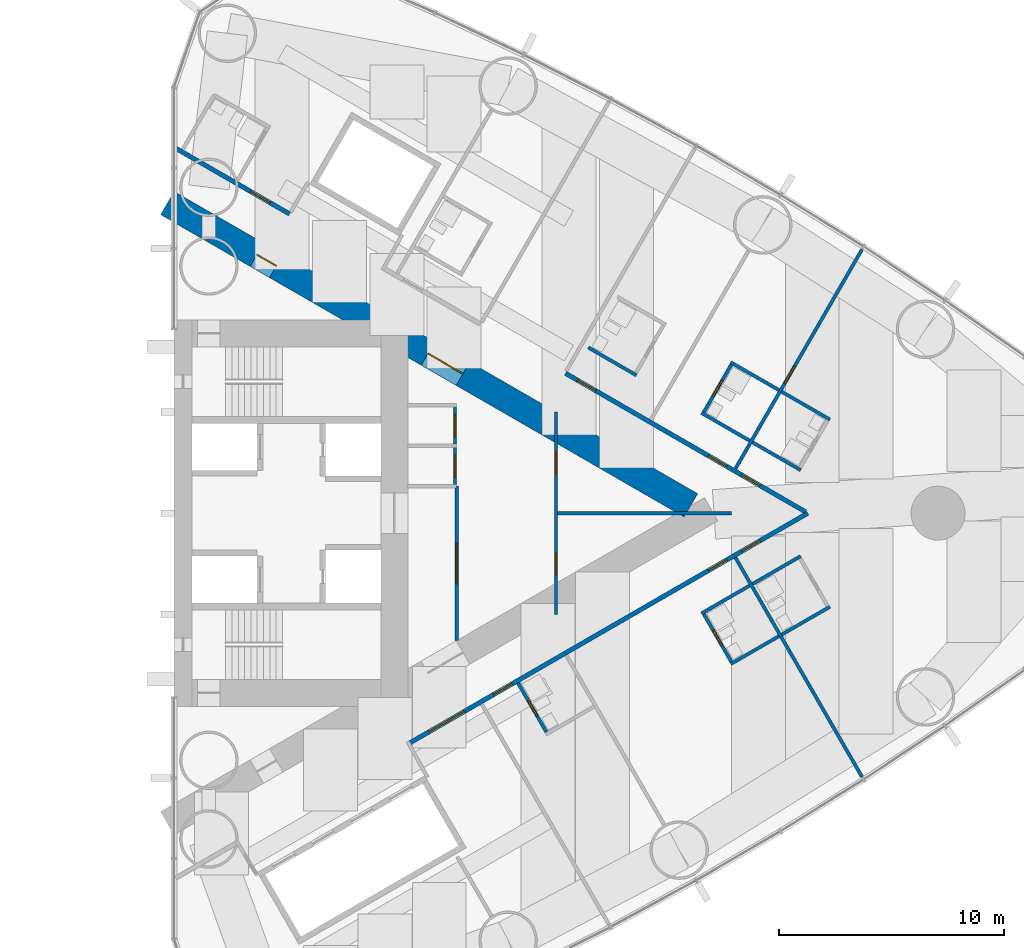
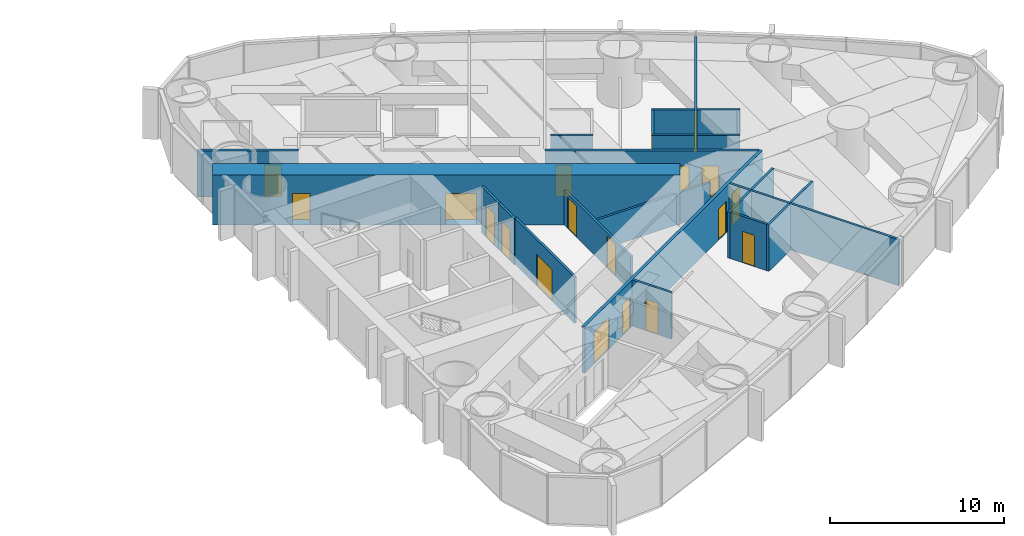
# One storey, part 15 of 19: 23 walls, 19 doors, 19 openings.
"""IFC4 building model written with IfcOpenShell, lengths in metres."""

from ifc_helpers import new_model, si_unit, direction, frame, frame_2d, origin, place, context, subcontext, project, spatial, rectangle, extrude, material, layer, layer_set, type_object, element, fill, save


model = new_model("IFC4")

# Units and contexts
model_context = context("Model", 3, precision=1e-05, world=origin(), true_north=direction((0.0, 1.0)))
body_context = subcontext(model_context, "Body", "Model", "MODEL_VIEW")
ifc_project = project(units=[si_unit("LENGTHUNIT", "METRE"), si_unit("AREAUNIT", "SQUARE_METRE"), si_unit("VOLUMEUNIT", "CUBIC_METRE"), si_unit("PLANEANGLEUNIT", "RADIAN"), si_unit("MASSUNIT", "GRAM", prefix="KILO")], contexts=[model_context])

# Site, building, storey
site_placement = place(None, origin())
site = spatial("IfcSite", under=ifc_project, at=site_placement, CompositionType="ELEMENT")
building_placement = place(site_placement, origin())
building = spatial("IfcBuilding", under=site, at=building_placement, Name="Lancet Gate Hotel", CompositionType="ELEMENT")
storey_placement = place(building_placement, frame((0.0, 0.0, 111.60009765625)))
storey = spatial("IfcBuildingStorey", under=building, at=storey_placement, Name="L29", CompositionType="ELEMENT", Elevation=111.60009765625)

# Wall, opening, door
ifc_material_1 = material(Name="Moisture resistant board partition")
ifc_layer_1 = layer(ifc_material_1, 0.14990234375)
ifc_layer_set_1 = layer_set([ifc_layer_1], Name="Bathroom wall 150")
wall_type_1 = type_object("IfcWallType", Name="Bathroom wall 150", PredefinedType="PARTITIONING", material=ifc_layer_set_1)
wall_1_placement = place(storey_placement, frame((42.810302734375, -7.55859375, 0.0), z_axis=(0.0, 0.0, 1.0), x_axis=(0.499936506574, -0.866062058628, 0.0)))
wall_1 = element("IfcWall", 1, at=wall_1_placement, inside=storey, type_object=wall_type_1, Name="T2 bathroom wall 150 L29", PredefinedType="PARTITIONING", context=body_context, shape_type="SweptSolid", body=[
    extrude(rectangle(XDim=2.599853515625, YDim=0.14990234375, at=frame_2d((1.2998046875, 0.0))), origin(), (0.0, 0.0, 1.0), 3.25),
])
opening_1_placement = place(wall_1_placement, frame((0.89990234375, 0.0, 0.0)))
opening_1 = element("IfcOpeningElement", 2, at=opening_1_placement, cuts=wall_1, Name="Opening 2954-B", PredefinedType="OPENING", context=body_context, shape_type="SweptSolid", body=[
    extrude(rectangle(XDim=0.800048828125, YDim=2.199951171875, at=frame_2d((0.39990234375, 1.10009765625))), frame((0.0, 0.0849609375, 0.0), z_axis=(0.0, -1.0, 0.0), x_axis=(1.0, 0.0, 0.0)), (0.0, 0.0, 1.0), 0.169921875),
])
ifc_material_2 = material(Name="Timber door set", Category="wood")
door_type_1 = type_object("IfcDoorType", Name="Bathroom door 800", OperationType="SINGLE_SWING_RIGHT", PredefinedType="DOOR", material=ifc_material_2)
door_1_placement = place(opening_1_placement, origin())
door_1 = element("IfcDoor", 3, at=door_1_placement, inside=storey, type_object=door_type_1, Name="2954-B", OperationType="SINGLE_SWING_RIGHT", OverallHeight=2.199951171875, OverallWidth=0.800048828125, PredefinedType="DOOR", context=body_context, shape_type="SweptSolid", body=[
    extrude(rectangle(XDim=0.800048828125, YDim=2.199951171875, at=frame_2d((0.39990234375, 1.10009765625))), frame((0.0, 0.02490234375, 0.0), z_axis=(0.0, -1.0, 0.0), x_axis=(1.0, 0.0, 0.0)), (0.0, 0.0, 1.0), 0.050048828125),
])
fill(opening_1, door_1)

# Wall
wall_2_placement = place(storey_placement, frame((52.27294921875, -6.714111328125, 0.0), z_axis=(0.0, 0.0, 1.0), x_axis=(0.866031185235, 0.4999899861, 0.0)))
element("IfcWall", 4, at=wall_2_placement, inside=storey, type_object=wall_type_1, Name="T2 bathroom wall 150 L29", PredefinedType="PARTITIONING", context=body_context, shape_type="SweptSolid", body=[
    extrude(rectangle(XDim=2.47509765625, YDim=0.14990234375, at=frame_2d((1.237548828125, 0.0))), origin(), (0.0, 0.0, 1.0), 3.25),
])

# Wall, opening, door
wall_3_placement = place(storey_placement, frame((51.0380859375, -4.425048828125, 0.0), z_axis=(0.0, 0.0, 1.0), x_axis=(0.49997716683, -0.86603858612, 0.0)))
wall_3 = element("IfcWall", 5, at=wall_3_placement, inside=storey, type_object=wall_type_1, Name="T2 bathroom wall 150 L29", PredefinedType="PARTITIONING", context=body_context, shape_type="SweptSolid", body=[
    extrude(rectangle(XDim=2.599609375, YDim=0.14990234375, at=frame_2d((1.2998046875, 0.0))), origin(), (0.0, 0.0, 1.0), 3.25),
])
opening_2_placement = place(wall_3_placement, frame((0.89990234375, 0.0, 0.0)))
opening_2 = element("IfcOpeningElement", 6, at=opening_2_placement, cuts=wall_3, Name="Opening 2955-B", PredefinedType="OPENING", context=body_context, shape_type="SweptSolid", body=[
    extrude(rectangle(XDim=0.800048828125, YDim=2.199951171875, at=frame_2d((0.39990234375, 1.10009765625))), frame((0.0, 0.0849609375, 0.0), z_axis=(0.0, -1.0, 0.0), x_axis=(1.0, 0.0, 0.0)), (0.0, 0.0, 1.0), 0.169921875),
])
door_2_placement = place(opening_2_placement, origin())
door_2 = element("IfcDoor", 7, at=door_2_placement, inside=storey, type_object=door_type_1, Name="2955-B", OperationType="SINGLE_SWING_RIGHT", OverallHeight=2.199951171875, OverallWidth=0.800048828125, PredefinedType="DOOR", context=body_context, shape_type="SweptSolid", body=[
    extrude(rectangle(XDim=0.800048828125, YDim=2.199951171875, at=frame_2d((0.39990234375, 1.10009765625))), frame((0.0, 0.02490234375, 0.0), z_axis=(0.0, -1.0, 0.0), x_axis=(1.0, 0.0, 0.0)), (0.0, 0.0, 1.0), 0.050048828125),
])
fill(opening_2, door_2)

# Walls
wall_4_placement = place(storey_placement, frame((50.972900390625, -4.46240234375, 0.0), z_axis=(0.0, 0.0, 1.0), x_axis=(0.866031185235, 0.4999899861, 0.0)))
element("IfcWall", 8, at=wall_4_placement, inside=storey, type_object=wall_type_1, Name="T2 bathroom wall 150 L29", PredefinedType="PARTITIONING", context=body_context, shape_type="SweptSolid", body=[
    extrude(rectangle(XDim=2.47509765625, YDim=0.14990234375, at=frame_2d((1.237548828125, 0.0))), origin(), (0.0, 0.0, 1.0), 3.25),
])
for number, where, z_axis, x_axis, name in (
    (9, (54.54638671875, -5.401611328125, 0.0), (0.0, 0.0, 1.0), (0.866006523861, 0.500032699561, 0.0), "T2 bathroom wall 150 L29"),
    (10, (53.246337890625, -3.14990234375, 0.0), (0.0, 0.0, 1.0), (0.866006523861, 0.500032699561, 0.0), "T2 bathroom wall 150 L29"),
    (11, (54.54638671875, 5.401611328125, 0.0), (0.0, 0.0, 1.0), (0.866006523861, -0.500032699561, 0.0), "T2 bathroom wall 150 L29"),
    (12, (53.246337890625, 3.14990234375, 0.0), (0.0, 0.0, 1.0), (0.866006523861, -0.500032699561, 0.0), "T2 bathroom wall 150 L29"),
):
    element("IfcWall", number, at=place(storey_placement, frame(where, z_axis=z_axis, x_axis=x_axis)), inside=storey, type_object=wall_type_1, Name=name, PredefinedType="PARTITIONING", context=body_context, shape_type="SweptSolid", body=[
        extrude(rectangle(XDim=2.474853515625, YDim=0.14990234375, at=frame_2d((1.2373046875, 0.0))), origin(), (0.0, 0.0, 1.0), 3.25),
    ])
wall_5_placement = place(storey_placement, frame((52.27294921875, 6.714111328125, 0.0), z_axis=(0.0, 0.0, 1.0), x_axis=(0.866031185235, -0.4999899861, 0.0)))
element("IfcWall", 13, at=wall_5_placement, inside=storey, type_object=wall_type_1, Name="T2 bathroom wall 150 L29", PredefinedType="PARTITIONING", context=body_context, shape_type="SweptSolid", body=[
    extrude(rectangle(XDim=2.47509765625, YDim=0.14990234375, at=frame_2d((1.237548828125, 0.0))), origin(), (0.0, 0.0, 1.0), 3.25),
])

# Wall, opening, door
wall_6_placement = place(storey_placement, frame((51.0380859375, 4.425048828125, 0.0), z_axis=(0.0, 0.0, 1.0), x_axis=(0.49997716683, 0.86603858612, 0.0)))
wall_6 = element("IfcWall", 14, at=wall_6_placement, inside=storey, type_object=wall_type_1, Name="T2 bathroom wall 150 L29", PredefinedType="PARTITIONING", context=body_context, shape_type="SweptSolid", body=[
    extrude(rectangle(XDim=2.599609375, YDim=0.14990234375, at=frame_2d((1.2998046875, 0.0))), origin(), (0.0, 0.0, 1.0), 3.25),
])
opening_3_placement = place(wall_6_placement, frame((0.89990234375, 0.0, 0.0)))
opening_3 = element("IfcOpeningElement", 15, at=opening_3_placement, cuts=wall_6, Name="Opening 2959-B", PredefinedType="OPENING", context=body_context, shape_type="SweptSolid", body=[
    extrude(rectangle(XDim=0.800048828125, YDim=2.199951171875, at=frame_2d((0.39990234375, 1.10009765625))), frame((0.0, 0.0849609375, 0.0), z_axis=(0.0, -1.0, 0.0), x_axis=(1.0, 0.0, 0.0)), (0.0, 0.0, 1.0), 0.169921875),
])
door_3_placement = place(opening_3_placement, origin())
door_3 = element("IfcDoor", 16, at=door_3_placement, inside=storey, type_object=door_type_1, Name="2959-B", OperationType="SINGLE_SWING_RIGHT", OverallHeight=2.199951171875, OverallWidth=0.800048828125, PredefinedType="DOOR", context=body_context, shape_type="SweptSolid", body=[
    extrude(rectangle(XDim=0.800048828125, YDim=2.199951171875, at=frame_2d((0.39990234375, 1.10009765625))), frame((0.0, 0.02490234375, 0.0), z_axis=(0.0, -1.0, 0.0), x_axis=(1.0, 0.0, 0.0)), (0.0, 0.0, 1.0), 0.050048828125),
])
fill(opening_3, door_3)

# Walls
for number, where, z_axis, x_axis, name in (
    (17, (50.972900390625, 4.46240234375, 0.0), (0.0, 0.0, 1.0), (0.866031185235, -0.4999899861, 0.0), "T2 bathroom wall 150 L29"),
    (18, (45.93505859375, 7.37109375, 0.0), (0.0, 0.0, 1.0), (0.866031185235, -0.4999899861, 0.0), "T2 bathroom wall 150 L29"),
):
    element("IfcWall", number, at=place(storey_placement, frame(where, z_axis=z_axis, x_axis=x_axis)), inside=storey, type_object=wall_type_1, Name=name, PredefinedType="PARTITIONING", context=body_context, shape_type="SweptSolid", body=[
        extrude(rectangle(XDim=2.47509765625, YDim=0.14990234375, at=frame_2d((1.237548828125, 0.0))), origin(), (0.0, 0.0, 1.0), 3.25),
    ])

# Wall, openings, doors
ifc_material_3 = material(Name="Concrete C70/85", Category="concrete")
ifc_layer_2 = layer(ifc_material_3, 1.199951171875)
ifc_layer_set_2 = layer_set([ifc_layer_2], Name="Buttress wall 1200")
wall_type_2 = type_object("IfcWallType", Name="Buttress wall 1200", PredefinedType="SHEAR", material=ifc_layer_set_2)
wall_7_placement = place(storey_placement, frame((27.199951171875, 13.800048828125, 0.0), z_axis=(0.0, 0.0, 1.0), x_axis=(0.866024515034, -0.500001539357, 0.0)))
wall_7 = element("IfcWall", 19, at=wall_7_placement, inside=storey, type_object=wall_type_2, Name="T2 buttress wall N L29", PredefinedType="SHEAR", context=body_context, shape_type="SweptSolid", body=[
    extrude(rectangle(XDim=26.9072265625, YDim=1.199951171875, at=frame_2d((13.45361328125, 0.0))), origin(), (0.0, 0.0, 1.0), 3.5),
])
opening_4_placement = place(wall_7_placement, frame((4.60009765625, 0.0, 0.0)))
opening_4 = element("IfcOpeningElement", 20, at=opening_4_placement, cuts=wall_7, Name="Opening T2-L29-LN", PredefinedType="OPENING", context=body_context, shape_type="SweptSolid", body=[
    extrude(rectangle(XDim=1.0, YDim=2.199951171875, at=frame_2d((0.5, 1.10009765625))), frame((0.0, 0.60986328125, 0.0), z_axis=(0.0, -1.0, 0.0), x_axis=(1.0, 0.0, 0.0)), (0.0, 0.0, 1.0), 1.219970703125),
])
opening_5_placement = place(wall_7_placement, frame((13.39453125, 0.0, 0.0)))
opening_5 = element("IfcOpeningElement", 21, at=opening_5_placement, cuts=wall_7, Name="Opening T2-L29-LHN", PredefinedType="OPENING", context=body_context, shape_type="SweptSolid", body=[
    extrude(rectangle(XDim=1.800048828125, YDim=2.199951171875, at=frame_2d((0.89990234375, 1.10009765625))), frame((0.0, 0.60986328125, 0.0), z_axis=(0.0, -1.0, 0.0), x_axis=(1.0, 0.0, 0.0)), (0.0, 0.0, 1.0), 1.219970703125),
])
ifc_material_4 = material(Name="Timber door set", Category="wood")
door_type_2 = type_object("IfcDoorType", Name="Lobby double door 1800", OperationType="DOUBLE_DOOR_SINGLE_SWING", PredefinedType="DOOR", material=ifc_material_4)
door_4_placement = place(opening_5_placement, origin())
door_4 = element("IfcDoor", 22, at=door_4_placement, inside=storey, type_object=door_type_2, Name="T2-L29-LHN", OperationType="DOUBLE_DOOR_SINGLE_SWING", OverallHeight=2.199951171875, OverallWidth=1.800048828125, PredefinedType="DOOR", context=body_context, shape_type="SweptSolid", body=[
    extrude(rectangle(XDim=1.800048828125, YDim=2.199951171875, at=frame_2d((0.89990234375, 1.10009765625))), frame((0.0, 0.02490234375, 0.0), z_axis=(0.0, -1.0, 0.0), x_axis=(1.0, 0.0, 0.0)), (0.0, 0.0, 1.0), 0.050048828125),
])
fill(opening_5, door_4)
ifc_material_5 = material(Name="Timber door set", Category="wood")
door_type_3 = type_object("IfcDoorType", Name="Stair lobby door 1000", OperationType="SINGLE_SWING_LEFT", PredefinedType="DOOR", material=ifc_material_5)
door_5_placement = place(opening_4_placement, origin())
door_5 = element("IfcDoor", 23, at=door_5_placement, inside=storey, type_object=door_type_3, Name="T2-L29-LN", OperationType="SINGLE_SWING_LEFT", OverallHeight=2.199951171875, OverallWidth=1.0, PredefinedType="DOOR", context=body_context, shape_type="SweptSolid", body=[
    extrude(rectangle(XDim=1.0, YDim=2.199951171875, at=frame_2d((0.5, 1.10009765625))), frame((0.0, 0.02490234375, 0.0), z_axis=(0.0, -1.0, 0.0), x_axis=(1.0, 0.0, 0.0)), (0.0, 0.0, 1.0), 0.050048828125),
])
fill(opening_4, door_5)

ifc_material_6 = material(Name="Gypsum board partition")
ifc_layer_3 = layer(ifc_material_6, 0.199951171875)
ifc_layer_set_3 = layer_set([ifc_layer_3], Name="Corridor wall 200")
wall_type_3 = type_object("IfcWallType", Name="Corridor wall 200", PredefinedType="PARTITIONING", material=ifc_layer_set_3)
wall_8_placement = place(storey_placement, frame((37.9599609375, -10.243408203125, 0.0), z_axis=(0.0, 0.0, 1.0), x_axis=(0.866026429433, 0.499998223521, 0.0)))
wall_8 = element("IfcWall", 24, at=wall_8_placement, inside=storey, type_object=wall_type_3, Name="T2 corridor wall 200 L29", PredefinedType="PARTITIONING", context=body_context, shape_type="SweptSolid", body=[
    extrude(rectangle(XDim=20.48681640625, YDim=0.199951171875, at=frame_2d((10.243408203125, 0.0))), origin(), (0.0, 0.0, 1.0), 3.25),
])
opening_6_placement = place(wall_8_placement, frame((4.3427734375, 0.0, 0.0)))
opening_6 = element("IfcOpeningElement", 25, at=opening_6_placement, cuts=wall_8, Name="Opening 2954-E", PredefinedType="OPENING", context=body_context, shape_type="SweptSolid", body=[
    extrude(rectangle(XDim=0.949951171875, YDim=2.199951171875, at=frame_2d((0.47509765625, 1.10009765625))), frame((0.0, 0.10986328125, 0.0), z_axis=(0.0, -1.0, 0.0), x_axis=(1.0, 0.0, 0.0)), (0.0, 0.0, 1.0), 0.219970703125),
])
opening_7_placement = place(wall_8_placement, frame((15.385009765625, 0.0, 0.0)))
opening_7 = element("IfcOpeningElement", 26, at=opening_7_placement, cuts=wall_8, Name="Opening 2955-E", PredefinedType="OPENING", context=body_context, shape_type="SweptSolid", body=[
    extrude(rectangle(XDim=0.949951171875, YDim=2.199951171875, at=frame_2d((0.47509765625, 1.10009765625))), frame((0.0, 0.10986328125, 0.0), z_axis=(0.0, -1.0, 0.0), x_axis=(1.0, 0.0, 0.0)), (0.0, 0.0, 1.0), 0.219970703125),
])
opening_8_placement = place(wall_8_placement, frame((17.085205078125, 0.0, 0.0)))
opening_8 = element("IfcOpeningElement", 27, at=opening_8_placement, cuts=wall_8, Name="Opening 2957-E", PredefinedType="OPENING", context=body_context, shape_type="SweptSolid", body=[
    extrude(rectangle(XDim=0.949951171875, YDim=2.199951171875, at=frame_2d((0.47509765625, 1.10009765625))), frame((0.0, 0.10986328125, 0.0), z_axis=(0.0, -1.0, 0.0), x_axis=(1.0, 0.0, 0.0)), (0.0, 0.0, 1.0), 0.219970703125),
])
opening_9_placement = place(wall_8_placement, frame((1.04833984375, 0.0, 0.0)))
opening_9 = element("IfcOpeningElement", 28, at=opening_9_placement, cuts=wall_8, Name="Opening T2-L29-LO2", PredefinedType="OPENING", context=body_context, shape_type="SweptSolid", body=[
    extrude(rectangle(XDim=1.800048828125, YDim=2.199951171875, at=frame_2d((0.89990234375, 1.10009765625))), frame((0.0, 0.10986328125, 0.0), z_axis=(0.0, -1.0, 0.0), x_axis=(1.0, 0.0, 0.0)), (0.0, 0.0, 1.0), 0.219970703125),
])
ifc_material_7 = material(Name="Timber door set", Category="wood")
door_type_4 = type_object("IfcDoorType", Name="Double door 1800", OperationType="DOUBLE_DOOR_SINGLE_SWING", PredefinedType="DOOR", material=ifc_material_7)
door_6_placement = place(opening_9_placement, origin())
door_6 = element("IfcDoor", 29, at=door_6_placement, inside=storey, type_object=door_type_4, Name="T2-L29-LO2", OperationType="DOUBLE_DOOR_SINGLE_SWING", OverallHeight=2.199951171875, OverallWidth=1.800048828125, PredefinedType="DOOR", context=body_context, shape_type="SweptSolid", body=[
    extrude(rectangle(XDim=1.800048828125, YDim=2.199951171875, at=frame_2d((0.89990234375, 1.10009765625))), frame((0.0, 0.02490234375, 0.0), z_axis=(0.0, -1.0, 0.0), x_axis=(1.0, 0.0, 0.0)), (0.0, 0.0, 1.0), 0.050048828125),
])
fill(opening_9, door_6)
ifc_material_8 = material(Name="Timber door set", Category="wood")
door_type_5 = type_object("IfcDoorType", Name="Guest room entry door 950", OperationType="SINGLE_SWING_LEFT", PredefinedType="DOOR", material=ifc_material_8)
door_7_placement = place(opening_6_placement, origin())
door_7 = element("IfcDoor", 30, at=door_7_placement, inside=storey, type_object=door_type_5, Name="2954-E", OperationType="SINGLE_SWING_LEFT", OverallHeight=2.199951171875, OverallWidth=0.949951171875, PredefinedType="DOOR", context=body_context, shape_type="SweptSolid", body=[
    extrude(rectangle(XDim=0.949951171875, YDim=2.199951171875, at=frame_2d((0.47509765625, 1.10009765625))), frame((0.0, 0.02490234375, 0.0), z_axis=(0.0, -1.0, 0.0), x_axis=(1.0, 0.0, 0.0)), (0.0, 0.0, 1.0), 0.050048828125),
])
fill(opening_6, door_7)
door_8_placement = place(opening_7_placement, origin())
door_8 = element("IfcDoor", 31, at=door_8_placement, inside=storey, type_object=door_type_5, Name="2955-E", OperationType="SINGLE_SWING_LEFT", OverallHeight=2.199951171875, OverallWidth=0.949951171875, PredefinedType="DOOR", context=body_context, shape_type="SweptSolid", body=[
    extrude(rectangle(XDim=0.949951171875, YDim=2.199951171875, at=frame_2d((0.47509765625, 1.10009765625))), frame((0.0, 0.02490234375, 0.0), z_axis=(0.0, -1.0, 0.0), x_axis=(1.0, 0.0, 0.0)), (0.0, 0.0, 1.0), 0.050048828125),
])
fill(opening_7, door_8)
door_9_placement = place(opening_8_placement, origin())
door_9 = element("IfcDoor", 32, at=door_9_placement, inside=storey, type_object=door_type_5, Name="2957-E", OperationType="SINGLE_SWING_LEFT", OverallHeight=2.199951171875, OverallWidth=0.949951171875, PredefinedType="DOOR", context=body_context, shape_type="SweptSolid", body=[
    extrude(rectangle(XDim=0.949951171875, YDim=2.199951171875, at=frame_2d((0.47509765625, 1.10009765625))), frame((0.0, 0.02490234375, 0.0), z_axis=(0.0, -1.0, 0.0), x_axis=(1.0, 0.0, 0.0)), (0.0, 0.0, 1.0), 0.050048828125),
])
fill(opening_8, door_9)

# Wall, opening, door
wall_9_placement = place(storey_placement, frame((27.572021484375, 16.240966796875, 0.0), z_axis=(0.0, 0.0, 1.0), x_axis=(0.866032814021, -0.499987164874, 0.0)))
wall_9 = element("IfcWall", 33, at=wall_9_placement, inside=storey, type_object=wall_type_3, Name="T2 corridor wall 200 L29", PredefinedType="PARTITIONING", context=body_context, shape_type="SweptSolid", body=[
    extrude(rectangle(XDim=5.854736328125, YDim=0.199951171875, at=frame_2d((2.92724609375, 0.0))), origin(), (0.0, 0.0, 1.0), 3.25),
])
opening_10_placement = place(wall_9_placement, frame((3.85009765625, 0.0, 0.0)))
opening_10 = element("IfcOpeningElement", 34, at=opening_10_placement, cuts=wall_9, Name="Opening 2963-E", PredefinedType="OPENING", context=body_context, shape_type="SweptSolid", body=[
    extrude(rectangle(XDim=1.0, YDim=2.199951171875, at=frame_2d((0.5, 1.10009765625))), frame((0.0, 0.10986328125, 0.0), z_axis=(0.0, -1.0, 0.0), x_axis=(1.0, 0.0, 0.0)), (0.0, 0.0, 1.0), 0.219970703125),
])
ifc_material_9 = material(Name="Timber door set", Category="wood")
door_type_6 = type_object("IfcDoorType", Name="Accessible guest room door 1000", OperationType="SINGLE_SWING_LEFT", PredefinedType="DOOR", material=ifc_material_9)
door_10_placement = place(opening_10_placement, origin())
door_10 = element("IfcDoor", 35, at=door_10_placement, inside=storey, type_object=door_type_6, Name="2963-E", OperationType="SINGLE_SWING_LEFT", OverallHeight=2.199951171875, OverallWidth=1.0, PredefinedType="DOOR", context=body_context, shape_type="SweptSolid", body=[
    extrude(rectangle(XDim=1.0, YDim=2.199951171875, at=frame_2d((0.5, 1.10009765625))), frame((0.0, 0.02490234375, 0.0), z_axis=(0.0, -1.0, 0.0), x_axis=(1.0, 0.0, 0.0)), (0.0, 0.0, 1.0), 0.050048828125),
])
fill(opening_10, door_10)

# Wall, openings, doors
wall_10_placement = place(storey_placement, frame((44.92529296875, 6.22216796875, 0.0), z_axis=(0.0, 0.0, 1.0), x_axis=(0.866025590081, -0.499999677325, 0.0)))
wall_10 = element("IfcWall", 36, at=wall_10_placement, inside=storey, type_object=wall_type_3, Name="T2 corridor wall 200 L29", PredefinedType="PARTITIONING", context=body_context, shape_type="SweptSolid", body=[
    extrude(rectangle(XDim=12.32421875, YDim=0.199951171875, at=frame_2d((6.162109375, 0.0))), origin(), (0.0, 0.0, 1.0), 3.25),
])
opening_11_placement = place(wall_10_placement, frame((9.042236328125, 0.0, 0.0)))
opening_11 = element("IfcOpeningElement", 37, at=opening_11_placement, cuts=wall_10, Name="Opening 2958-E", PredefinedType="OPENING", context=body_context, shape_type="SweptSolid", body=[
    extrude(rectangle(XDim=0.949951171875, YDim=2.199951171875, at=frame_2d((0.47509765625, 1.10009765625))), frame((0.0, 0.10986328125, 0.0), z_axis=(0.0, -1.0, 0.0), x_axis=(1.0, 0.0, 0.0)), (0.0, 0.0, 1.0), 0.219970703125),
])
opening_12_placement = place(wall_10_placement, frame((7.34228515625, 0.0, 0.0)))
opening_12 = element("IfcOpeningElement", 38, at=opening_12_placement, cuts=wall_10, Name="Opening 2959-E", PredefinedType="OPENING", context=body_context, shape_type="SweptSolid", body=[
    extrude(rectangle(XDim=0.949951171875, YDim=2.199951171875, at=frame_2d((0.47509765625, 1.10009765625))), frame((0.0, 0.10986328125, 0.0), z_axis=(0.0, -1.0, 0.0), x_axis=(1.0, 0.0, 0.0)), (0.0, 0.0, 1.0), 0.219970703125),
])
opening_13_placement = place(wall_10_placement, frame((0.60009765625, 0.0, 0.0)))
opening_13 = element("IfcOpeningElement", 39, at=opening_13_placement, cuts=wall_10, Name="Opening 2960-E", PredefinedType="OPENING", context=body_context, shape_type="SweptSolid", body=[
    extrude(rectangle(XDim=0.949951171875, YDim=2.199951171875, at=frame_2d((0.47509765625, 1.10009765625))), frame((0.0, 0.10986328125, 0.0), z_axis=(0.0, -1.0, 0.0), x_axis=(1.0, 0.0, 0.0)), (0.0, 0.0, 1.0), 0.219970703125),
])
door_11_placement = place(opening_11_placement, origin())
door_11 = element("IfcDoor", 40, at=door_11_placement, inside=storey, type_object=door_type_5, Name="2958-E", OperationType="SINGLE_SWING_LEFT", OverallHeight=2.199951171875, OverallWidth=0.949951171875, PredefinedType="DOOR", context=body_context, shape_type="SweptSolid", body=[
    extrude(rectangle(XDim=0.949951171875, YDim=2.199951171875, at=frame_2d((0.47509765625, 1.10009765625))), frame((0.0, 0.02490234375, 0.0), z_axis=(0.0, -1.0, 0.0), x_axis=(1.0, 0.0, 0.0)), (0.0, 0.0, 1.0), 0.050048828125),
])
fill(opening_11, door_11)
door_12_placement = place(opening_12_placement, origin())
door_12 = element("IfcDoor", 41, at=door_12_placement, inside=storey, type_object=door_type_5, Name="2959-E", OperationType="SINGLE_SWING_LEFT", OverallHeight=2.199951171875, OverallWidth=0.949951171875, PredefinedType="DOOR", context=body_context, shape_type="SweptSolid", body=[
    extrude(rectangle(XDim=0.949951171875, YDim=2.199951171875, at=frame_2d((0.47509765625, 1.10009765625))), frame((0.0, 0.02490234375, 0.0), z_axis=(0.0, -1.0, 0.0), x_axis=(1.0, 0.0, 0.0)), (0.0, 0.0, 1.0), 0.050048828125),
])
fill(opening_12, door_12)
door_13_placement = place(opening_13_placement, origin())
door_13 = element("IfcDoor", 42, at=door_13_placement, inside=storey, type_object=door_type_5, Name="2960-E", OperationType="SINGLE_SWING_LEFT", OverallHeight=2.199951171875, OverallWidth=0.949951171875, PredefinedType="DOOR", context=body_context, shape_type="SweptSolid", body=[
    extrude(rectangle(XDim=0.949951171875, YDim=2.199951171875, at=frame_2d((0.47509765625, 1.10009765625))), frame((0.0, 0.02490234375, 0.0), z_axis=(0.0, -1.0, 0.0), x_axis=(1.0, 0.0, 0.0)), (0.0, 0.0, 1.0), 0.050048828125),
])
fill(opening_13, door_13)

# Wall
ifc_material_10 = material(Name="Gypsum board partition")
ifc_layer_4 = layer(ifc_material_10, 0.14990234375)
ifc_layer_set_4 = layer_set([ifc_layer_4], Name="Party wall 150")
wall_type_4 = type_object("IfcWallType", Name="Party wall 150", PredefinedType="PARTITIONING", material=ifc_layer_set_4)
wall_11_placement = place(storey_placement, frame((52.4814453125, -1.97509765625, 0.0), z_axis=(0.0, 0.0, 1.0), x_axis=(0.500003867771, -0.866023170714, 0.0)))
element("IfcWall", 43, at=wall_11_placement, inside=storey, type_object=wall_type_4, Name="T2 party wall 150 L29", PredefinedType="PARTITIONING", context=body_context, shape_type="SweptSolid", body=[
    extrude(rectangle(XDim=11.2646484375, YDim=0.14990234375, at=frame_2d((5.63232421875, 0.0))), origin(), (0.0, 0.0, 1.0), 3.25),
])

# Wall, opening, door
wall_12_placement = place(storey_placement, frame((52.4814453125, 1.97509765625, 0.0), z_axis=(0.0, 0.0, 1.0), x_axis=(0.500003867771, 0.866023170714, 0.0)))
wall_12 = element("IfcWall", 44, at=wall_12_placement, inside=storey, type_object=wall_type_4, Name="T2 party wall 150 L29", PredefinedType="PARTITIONING", context=body_context, shape_type="SweptSolid", body=[
    extrude(rectangle(XDim=11.2646484375, YDim=0.14990234375, at=frame_2d((5.63232421875, 0.0))), origin(), (0.0, 0.0, 1.0), 3.25),
])
opening_14_placement = place(wall_12_placement, frame((4.375, 0.0, 0.0)))
opening_14 = element("IfcOpeningElement", 45, at=opening_14_placement, cuts=wall_12, Name="Opening 2958C", PredefinedType="OPENING", context=body_context, shape_type="SweptSolid", body=[
    extrude(rectangle(XDim=0.89990234375, YDim=2.199951171875, at=frame_2d((0.449951171875, 1.10009765625))), frame((0.0, 0.0849609375, 0.0), z_axis=(0.0, -1.0, 0.0), x_axis=(1.0, 0.0, 0.0)), (0.0, 0.0, 1.0), 0.169921875),
])
ifc_material_11 = material(Name="Timber door set", Category="wood")
door_type_7 = type_object("IfcDoorType", Name="Connecting door 900", OperationType="SINGLE_SWING_LEFT", PredefinedType="DOOR", material=ifc_material_11)
door_14_placement = place(opening_14_placement, origin())
door_14 = element("IfcDoor", 46, at=door_14_placement, inside=storey, type_object=door_type_7, Name="2958C", OperationType="SINGLE_SWING_LEFT", OverallHeight=2.199951171875, OverallWidth=0.89990234375, PredefinedType="DOOR", context=body_context, shape_type="SweptSolid", body=[
    extrude(rectangle(XDim=0.89990234375, YDim=2.199951171875, at=frame_2d((0.449951171875, 1.10009765625))), frame((0.0, 0.02490234375, 0.0), z_axis=(0.0, -1.0, 0.0), x_axis=(1.0, 0.0, 0.0)), (0.0, 0.0, 1.0), 0.050048828125),
])
fill(opening_14, door_14)

ifc_material_12 = material(Name="Gypsum board partition")
ifc_layer_5 = layer(ifc_material_12, 0.14990234375)
ifc_layer_set_5 = layer_set([ifc_layer_5], Name="Service room wall 150")
wall_type_5 = type_object("IfcWallType", Name="Service room wall 150", PredefinedType="PARTITIONING", material=ifc_layer_set_5)
wall_13_placement = place(storey_placement, frame((40.0, 1.125, 0.0), z_axis=(0.0, 0.0, 1.0), x_axis=(0.0, 1.0, 0.0)))
wall_13 = element("IfcWall", 47, at=wall_13_placement, inside=storey, type_object=wall_type_5, Name="T2 service room wall 150 L29", PredefinedType="PARTITIONING", context=body_context, shape_type="SweptSolid", body=[
    extrude(rectangle(XDim=1.949951171875, YDim=0.14990234375, at=frame_2d((0.97509765625, 0.0))), origin(), (0.0, 0.0, 1.0), 3.25),
])
opening_15_placement = place(wall_13_placement, frame((0.47509765625, 0.0, 0.0)))
opening_15 = element("IfcOpeningElement", 48, at=opening_15_placement, cuts=wall_13, Name="Opening T2-L29-HRN0", PredefinedType="OPENING", context=body_context, shape_type="SweptSolid", body=[
    extrude(rectangle(XDim=1.0, YDim=2.199951171875, at=frame_2d((0.5, 1.10009765625))), frame((0.0, 0.0849609375, 0.0), z_axis=(0.0, -1.0, 0.0), x_axis=(1.0, 0.0, 0.0)), (0.0, 0.0, 1.0), 0.169921875),
])
ifc_material_13 = material(Name="Timber door set", Category="wood")
door_type_8 = type_object("IfcDoorType", Name="Service door 1000", OperationType="SINGLE_SWING_LEFT", PredefinedType="DOOR", material=ifc_material_13)
door_15_placement = place(opening_15_placement, origin())
door_15 = element("IfcDoor", 49, at=door_15_placement, inside=storey, type_object=door_type_8, Name="T2-L29-HRN0", OperationType="SINGLE_SWING_LEFT", OverallHeight=2.199951171875, OverallWidth=1.0, PredefinedType="DOOR", context=body_context, shape_type="SweptSolid", body=[
    extrude(rectangle(XDim=1.0, YDim=2.199951171875, at=frame_2d((0.5, 1.10009765625))), frame((0.0, 0.02490234375, 0.0), z_axis=(0.0, -1.0, 0.0), x_axis=(1.0, 0.0, 0.0)), (0.0, 0.0, 1.0), 0.050048828125),
])
fill(opening_15, door_15)

wall_14_placement = place(storey_placement, frame((40.0, 2.925048828125, 0.0), z_axis=(0.0, 0.0, 1.0), x_axis=(0.0, 1.0, 0.0)))
wall_14 = element("IfcWall", 50, at=wall_14_placement, inside=storey, type_object=wall_type_5, Name="T2 service room wall 150 L29", PredefinedType="PARTITIONING", context=body_context, shape_type="SweptSolid", body=[
    extrude(rectangle(XDim=1.949951171875, YDim=0.14990234375, at=frame_2d((0.97509765625, 0.0))), origin(), (0.0, 0.0, 1.0), 3.25),
])
opening_16_placement = place(wall_14_placement, frame((0.47509765625, 0.0, 0.0)))
opening_16 = element("IfcOpeningElement", 51, at=opening_16_placement, cuts=wall_14, Name="Opening T2-L29-HRN1", PredefinedType="OPENING", context=body_context, shape_type="SweptSolid", body=[
    extrude(rectangle(XDim=1.0, YDim=2.199951171875, at=frame_2d((0.5, 1.10009765625))), frame((0.0, 0.0849609375, 0.0), z_axis=(0.0, -1.0, 0.0), x_axis=(1.0, 0.0, 0.0)), (0.0, 0.0, 1.0), 0.169921875),
])
door_16_placement = place(opening_16_placement, origin())
door_16 = element("IfcDoor", 52, at=door_16_placement, inside=storey, type_object=door_type_8, Name="T2-L29-HRN1", OperationType="SINGLE_SWING_LEFT", OverallHeight=2.199951171875, OverallWidth=1.0, PredefinedType="DOOR", context=body_context, shape_type="SweptSolid", body=[
    extrude(rectangle(XDim=1.0, YDim=2.199951171875, at=frame_2d((0.5, 1.10009765625))), frame((0.0, 0.02490234375, 0.0), z_axis=(0.0, -1.0, 0.0), x_axis=(1.0, 0.0, 0.0)), (0.0, 0.0, 1.0), 0.050048828125),
])
fill(opening_16, door_16)

wall_15_placement = place(storey_placement, frame((40.074951171875, -5.673828125, 0.0), z_axis=(0.0, 0.0, 1.0), x_axis=(0.0, 1.0, 0.0)))
wall_15 = element("IfcWall", 53, at=wall_15_placement, inside=storey, type_object=wall_type_5, Name="T2 service room wall 150 L29", PredefinedType="PARTITIONING", context=body_context, shape_type="SweptSolid", body=[
    extrude(rectangle(XDim=6.873779296875, YDim=0.14990234375, at=frame_2d((3.43701171875, 0.0))), origin(), (0.0, 0.0, 1.0), 3.25),
])
opening_17_placement = place(wall_15_placement, frame((2.536865234375, 0.0, 0.0)))
opening_17 = element("IfcOpeningElement", 54, at=opening_17_placement, cuts=wall_15, Name="Opening T2-L29-LH", PredefinedType="OPENING", context=body_context, shape_type="SweptSolid", body=[
    extrude(rectangle(XDim=1.800048828125, YDim=2.199951171875, at=frame_2d((0.89990234375, 1.10009765625))), frame((0.0, 0.0849609375, 0.0), z_axis=(0.0, -1.0, 0.0), x_axis=(1.0, 0.0, 0.0)), (0.0, 0.0, 1.0), 0.169921875),
])
door_17_placement = place(opening_17_placement, origin())
door_17 = element("IfcDoor", 55, at=door_17_placement, inside=storey, type_object=door_type_2, Name="T2-L29-LH", OperationType="DOUBLE_DOOR_SINGLE_SWING", OverallHeight=2.199951171875, OverallWidth=1.800048828125, PredefinedType="DOOR", context=body_context, shape_type="SweptSolid", body=[
    extrude(rectangle(XDim=1.800048828125, YDim=2.199951171875, at=frame_2d((0.89990234375, 1.10009765625))), frame((0.0, 0.02490234375, 0.0), z_axis=(0.0, -1.0, 0.0), x_axis=(1.0, 0.0, 0.0)), (0.0, 0.0, 1.0), 0.050048828125),
])
fill(opening_17, door_17)

# Wall, openings, doors
wall_16_placement = place(storey_placement, frame((44.5, -4.504638671875, 0.0), z_axis=(0.0, 0.0, 1.0), x_axis=(0.0, 1.0, 0.0)))
wall_16 = element("IfcWall", 56, at=wall_16_placement, inside=storey, type_object=wall_type_5, Name="T2 service room wall 150 L29", PredefinedType="PARTITIONING", context=body_context, shape_type="SweptSolid", body=[
    extrude(rectangle(XDim=9.00927734375, YDim=0.14990234375, at=frame_2d((4.504638671875, 0.0))), origin(), (0.0, 0.0, 1.0), 2.449951171875),
])
opening_18_placement = place(wall_16_placement, frame((1.752197265625, 0.0, 0.0)))
opening_18 = element("IfcOpeningElement", 57, at=opening_18_placement, cuts=wall_16, Name="Opening T2-L29-SV", PredefinedType="OPENING", context=body_context, shape_type="SweptSolid", body=[
    extrude(rectangle(XDim=1.0, YDim=2.199951171875, at=frame_2d((0.5, 1.10009765625))), frame((0.0, 0.0849609375, 0.0), z_axis=(0.0, -1.0, 0.0), x_axis=(1.0, 0.0, 0.0)), (0.0, 0.0, 1.0), 0.169921875),
])
opening_19_placement = place(wall_16_placement, frame((6.2568359375, 0.0, 0.0)))
opening_19 = element("IfcOpeningElement", 58, at=opening_19_placement, cuts=wall_16, Name="Opening T2-L29-SV2", PredefinedType="OPENING", context=body_context, shape_type="SweptSolid", body=[
    extrude(rectangle(XDim=1.0, YDim=2.199951171875, at=frame_2d((0.5, 1.10009765625))), frame((0.0, 0.0849609375, 0.0), z_axis=(0.0, -1.0, 0.0), x_axis=(1.0, 0.0, 0.0)), (0.0, 0.0, 1.0), 0.169921875),
])
door_18_placement = place(opening_18_placement, origin())
door_18 = element("IfcDoor", 59, at=door_18_placement, inside=storey, type_object=door_type_8, Name="T2-L29-SV", OperationType="SINGLE_SWING_LEFT", OverallHeight=2.199951171875, OverallWidth=1.0, PredefinedType="DOOR", context=body_context, shape_type="SweptSolid", body=[
    extrude(rectangle(XDim=1.0, YDim=2.199951171875, at=frame_2d((0.5, 1.10009765625))), frame((0.0, 0.02490234375, 0.0), z_axis=(0.0, -1.0, 0.0), x_axis=(1.0, 0.0, 0.0)), (0.0, 0.0, 1.0), 0.050048828125),
])
fill(opening_18, door_18)
door_19_placement = place(opening_19_placement, origin())
door_19 = element("IfcDoor", 60, at=door_19_placement, inside=storey, type_object=door_type_8, Name="T2-L29-SV2", OperationType="SINGLE_SWING_LEFT", OverallHeight=2.199951171875, OverallWidth=1.0, PredefinedType="DOOR", context=body_context, shape_type="SweptSolid", body=[
    extrude(rectangle(XDim=1.0, YDim=2.199951171875, at=frame_2d((0.5, 1.10009765625))), frame((0.0, 0.02490234375, 0.0), z_axis=(0.0, -1.0, 0.0), x_axis=(1.0, 0.0, 0.0)), (0.0, 0.0, 1.0), 0.050048828125),
])
fill(opening_19, door_19)

# Wall
wall_17_placement = place(storey_placement, frame((44.574951171875, 0.0, 0.0), z_axis=(0.0, 0.0, 1.0), x_axis=(1.0, 0.0, 0.0)))
element("IfcWall", 61, at=wall_17_placement, inside=storey, type_object=wall_type_5, Name="T2 service room wall 150 L29", PredefinedType="PARTITIONING", context=body_context, shape_type="SweptSolid", body=[
    extrude(rectangle(XDim=7.727294921875, YDim=0.14990234375, at=frame_2d((3.86376953125, 0.0))), origin(), (0.0, 0.0, 1.0), 2.199951171875),
])

save(model, "model.ifc")
